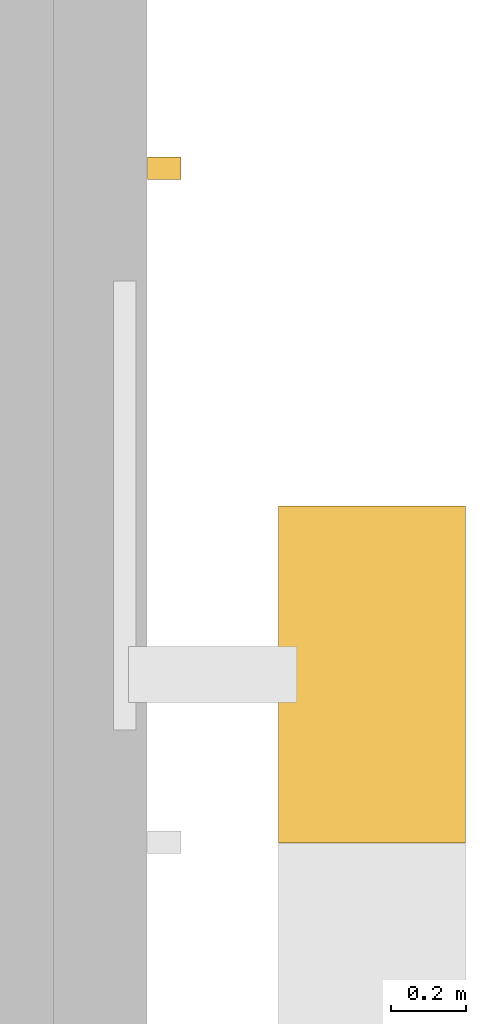
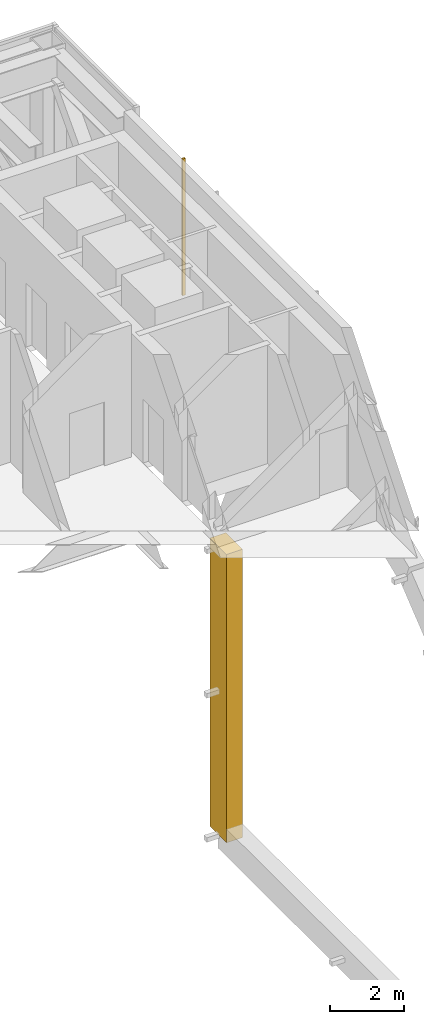
# One storey, part 24 of 26: 2 coverings.
"""IFC4 building model written with IfcOpenShell, lengths in metres."""

import ifcopenshell
import ifcopenshell.guid

model = None  # the IFC model being written
_history = None  # IfcOwnerHistory: only IFC2X3 demands one
_inside = {}  # id of a spatial element -> (the spatial element, [elements in it])
_under = {}  # id of a project, library or spatial element -> (it, [spatial elements below it])
_declared = {}  # id of a project -> (the project, [libraries it declares])
_typed = {}  # id of a type object -> (the type object, [elements of that type])
_made_of = {}  # id of a material, layer set ... -> (it, [elements and type objects made of it])


def new_model(schema):
    """Start an empty IFC model of exactly this schema.

    Asked for "IFC4X3", IfcOpenShell would pick the latest addendum, in which some entities
    have other attributes; the version numbers below select the first issue.
    IFC2X3 requires an IfcOwnerHistory on every rooted entity: one is made here for all.
    """
    global model, _history
    if schema == "IFC4X3":
        model = ifcopenshell.file(schema_version=(4, 3, 0, 0))
    else:
        model = ifcopenshell.file(schema=schema)
    _inside.clear()
    _under.clear()
    _declared.clear()
    _typed.clear()
    _made_of.clear()
    _history = None
    if model.schema == "IFC2X3":
        org = make("IfcOrganization", Name="unknown")
        user = make(
            "IfcPersonAndOrganization",
            ThePerson=make("IfcPerson", FamilyName="unknown"),
            TheOrganization=org,
        )
        app = make(
            "IfcApplication",
            ApplicationDeveloper=org,
            Version="unknown",
            ApplicationFullName="unknown",
            ApplicationIdentifier="unknown",
        )
        _history = make(
            "IfcOwnerHistory",
            OwningUser=user,
            OwningApplication=app,
            ChangeAction="ADDED",
            CreationDate=0,
        )
    return model


def make(cls, **values):
    """One entity of the class cls with the attributes given. An attribute that is None is left unset."""
    return model.create_entity(
        cls, **{name: value for name, value in values.items() if value is not None}
    )


def rooted(cls, **values):
    """An entity with a GlobalId (a new one), such as an element, a storey or a relation."""
    return make(cls, GlobalId=ifcopenshell.guid.new(), OwnerHistory=_history, **values)


def si_unit(unit_type, name, prefix=None):
    """IfcSIUnit, for example si_unit("LENGTHUNIT", "METRE", prefix="MILLI")."""
    return make("IfcSIUnit", UnitType=unit_type, Prefix=prefix, Name=name)


def assignment(units):
    """IfcUnitAssignment: the units of a project."""
    return None if units is None else make("IfcUnitAssignment", Units=units)


def point(xyz):
    """IfcCartesianPoint."""
    return None if xyz is None else make("IfcCartesianPoint", Coordinates=xyz)


def direction(xyz):
    """IfcDirection."""
    return None if xyz is None else make("IfcDirection", DirectionRatios=xyz)


def frame(location, z_axis=None, x_axis=None):
    """IfcAxis2Placement3D, a coordinate frame: its origin and axes. An axis left out is left unset."""
    return make(
        "IfcAxis2Placement3D",
        Location=point(location),
        Axis=direction(z_axis),
        RefDirection=direction(x_axis),
    )


def frame_2d(location, x_axis=None):
    """IfcAxis2Placement2D, a coordinate frame in the plane: its origin and x axis."""
    return make(
        "IfcAxis2Placement2D", Location=point(location), RefDirection=direction(x_axis)
    )


def origin():
    """The frame at (0, 0, 0) with its axes left unset."""
    return frame((0.0, 0.0, 0.0))


def origin_2d():
    """The frame at (0, 0) in the plane with its x axis left unset."""
    return frame_2d((0.0, 0.0))


def place(relative_to, where):
    """IfcLocalPlacement: puts the frame where relative to a parent placement (None: the world)."""
    return make(
        "IfcLocalPlacement", PlacementRelTo=relative_to, RelativePlacement=where
    )


def context(
    kind, dimensions, precision=None, world=None, true_north=None, identifier=None
):
    """IfcGeometricRepresentationContext, for example the 3D "Model" context."""
    return make(
        "IfcGeometricRepresentationContext",
        ContextIdentifier=identifier,
        ContextType=kind,
        CoordinateSpaceDimension=dimensions,
        Precision=precision,
        WorldCoordinateSystem=world,
        TrueNorth=true_north,
    )


def subcontext(parent, identifier, kind, view, scale=None):
    """IfcGeometricRepresentationSubContext, for example "Body" below "Model"."""
    return make(
        "IfcGeometricRepresentationSubContext",
        ContextIdentifier=identifier,
        ContextType=kind,
        ParentContext=parent,
        TargetScale=scale,
        TargetView=view,
    )


def project(units=None, contexts=None):
    """IfcProject with its units and contexts."""
    return rooted(
        "IfcProject",
        Name="project",
        RepresentationContexts=contexts,
        UnitsInContext=assignment(units),
    )


def spatial(cls, under=None, at=None, **own):
    """A site, building, storey or space (cls), placed at a placement, below another one or the project."""
    s = rooted(cls, ObjectPlacement=at, **own)
    if under is not None:
        _under.setdefault(under.id(), (under, []))[1].append(s)
    return s


def profile(cls, at=None, kind="AREA", **sizes):
    """A parametric profile (cls). Its sizes go by their IFC names, for example OverallWidth=200.0."""
    return make(cls, ProfileType=kind, Position=at, **sizes)


def rectangle(**sizes):
    """IfcRectangleProfileDef."""
    return profile("IfcRectangleProfileDef", **sizes)


def extrude(swept, where, along, depth):
    """IfcExtrudedAreaSolid: the profile swept, set in the frame where, extruded along a direction by depth."""
    return make(
        "IfcExtrudedAreaSolid",
        SweptArea=swept,
        Position=where,
        ExtrudedDirection=direction(along),
        Depth=depth,
    )


def shape(context_of_items, identifier, shape_type, items):
    """IfcShapeRepresentation: the items that make up one representation, for example the "Body"."""
    return make(
        "IfcShapeRepresentation",
        ContextOfItems=context_of_items,
        RepresentationIdentifier=identifier,
        RepresentationType=shape_type,
        Items=items,
    )


def material(Name=None, Category=None):
    """IfcMaterial."""
    return make("IfcMaterial", Name=Name, Category=Category)


def material_profile(
    of_material, cross_section, Name=None, Category=None, Priority=None
):
    """IfcMaterialProfile: a cross section and its material."""
    return make(
        "IfcMaterialProfile",
        Name=Name,
        Material=of_material,
        Profile=cross_section,
        Priority=Priority,
        Category=Category,
    )


def profile_set(profiles, Name=None, composite=None):
    """IfcMaterialProfileSet."""
    return make(
        "IfcMaterialProfileSet",
        Name=Name,
        MaterialProfiles=profiles,
        CompositeProfile=composite,
    )


def made_of(thing, what):
    """Note that an element or type object is made of a material, layer set ...; save() writes the relation."""
    if what is not None:
        _made_of.setdefault(what.id(), (what, []))[1].append(thing)
    return thing


def type_object(cls, material=None, **own):
    """A type object (cls), such as IfcWallType, which elements share."""
    return made_of(rooted(cls, **own), material)


def element(
    cls,
    number,
    at=None,
    inside=None,
    cuts=None,
    type_object=None,
    material=None,
    context=None,
    identifier="Body",
    shape_type=None,
    held_by="IfcProductDefinitionShape",
    body=None,
    shapes=None,
    **own,
):
    """One element of the class cls, such as IfcWall. Its Tag is "e" and its number.

    at: its placement. inside: the storey or other place that contains it. cuts: it is an
    opening in that element (IfcRelVoidsElement). A single representation is given by context,
    identifier, shape_type and body (its items); several are given by shapes. held_by: the class
    of the entity that holds the representations. save() writes the other relations.
    """
    e = rooted(cls, Tag="e%d" % number, ObjectPlacement=at, **own)
    if body is not None:
        shapes = [shape(context, identifier, shape_type, body)]
    if shapes is not None:
        e.Representation = make(held_by, Representations=shapes)
    if inside is not None:
        _inside.setdefault(inside.id(), (inside, []))[1].append(e)
    if cuts is not None:
        rooted(
            "IfcRelVoidsElement", RelatingBuildingElement=cuts, RelatedOpeningElement=e
        )
    if type_object is not None:
        _typed.setdefault(type_object.id(), (type_object, []))[1].append(e)
    return made_of(e, material)


def aggregate(whole, parts):
    """IfcRelAggregates: a whole, such as a stair, and the parts it consists of."""
    return rooted("IfcRelAggregates", RelatingObject=whole, RelatedObjects=parts)


def save(model, path):
    """Write the relations noted so far, then the file.

    IfcRelAggregates (storeys below a building ...), IfcRelContainedInSpatialStructure (elements
    in a storey), IfcRelDefinesByType, IfcRelAssociatesMaterial and IfcRelDeclares: one each for
    every whole, place, type object, material and project.
    """
    for whole, parts in _under.values():
        aggregate(whole, parts)
    for where, things in _inside.values():
        rooted(
            "IfcRelContainedInSpatialStructure",
            RelatedElements=things,
            RelatingStructure=where,
        )
    for kind, things in _typed.values():
        rooted("IfcRelDefinesByType", RelatedObjects=things, RelatingType=kind)
    for what, things in _made_of.values():
        rooted("IfcRelAssociatesMaterial", RelatedObjects=things, RelatingMaterial=what)
    for by, libraries in _declared.values():
        rooted("IfcRelDeclares", RelatingContext=by, RelatedDefinitions=libraries)
    model.write(path)


model = new_model("IFC4")

# Units and contexts
model_context = context("Model", 3, precision=1e-05, world=origin(), true_north=direction((0.0, 1.0)))
body_context = subcontext(model_context, "Body", "Model", "MODEL_VIEW")
ifc_project = project(units=[si_unit("LENGTHUNIT", "METRE"), si_unit("AREAUNIT", "SQUARE_METRE"), si_unit("VOLUMEUNIT", "CUBIC_METRE"), si_unit("PLANEANGLEUNIT", "RADIAN"), si_unit("MASSUNIT", "GRAM", prefix="KILO")], contexts=[model_context])

# Site, building, storey
site_placement = place(None, origin())
site = spatial("IfcSite", under=ifc_project, at=site_placement, CompositionType="ELEMENT")
building_placement = place(site_placement, origin())
building = spatial("IfcBuilding", under=site, at=building_placement, Name="Cobrizo Arcos Hotel Tower", CompositionType="ELEMENT")
storey_placement = place(building_placement, frame((0.0, 0.0, 236.5)))
storey = spatial("IfcBuildingStorey", under=building, at=storey_placement, Name="L62", CompositionType="ELEMENT", Elevation=236.5)

# Coverings
ifc_material = material(Name="Aluminium 6063-T6 anodised pale", Category="aluminium")
ifc_material_profile = material_profile(ifc_material, rectangle(XDim=0.5, YDim=0.89990234375, at=origin_2d()), Name="AF-2 core arch rim 500x900")
ifc_profile_set = profile_set([ifc_material_profile], Name="Aluminium 6063-T6 anodised pale")
covering_type_1 = type_object("IfcCoveringType", Name="AF-2 core arch rim 500x900", PredefinedType="CLADDING", material=ifc_profile_set)
covering_1_placement = place(storey_placement, frame((21.25, 6.748291015625, -17.050048828125), z_axis=(0.0, 0.0, 1.0), x_axis=(1.0, 0.0, 0.0)))
element("IfcCovering", 1, at=covering_1_placement, inside=storey, type_object=covering_type_1, Name="Arch rim C E face", PredefinedType="CLADDING", context=body_context, shape_type="SweptSolid", body=[
    extrude(rectangle(XDim=0.5, YDim=0.89990234375, at=origin_2d()), origin(), (0.0, 0.0, 1.0), 9.488525390625),
])
covering_type_2 = type_object("IfcCoveringType", Name="RS-1 rainscreen rib 60x90", PredefinedType="CLADDING", material=ifc_material)
covering_2_placement = place(storey_placement, frame((20.695068359375, 8.10009765625, 0.0), z_axis=(0.0, 0.0, 1.0), x_axis=(0.0, 1.0, 0.0)))
element("IfcCovering", 2, at=covering_2_placement, inside=storey, type_object=covering_type_2, Name="Rainscreen rib 86", PredefinedType="CLADDING", context=body_context, shape_type="SweptSolid", body=[
    extrude(rectangle(XDim=0.06005859375, YDim=0.090087890625, at=origin_2d()), origin(), (0.0, 0.0, 1.0), 4.5),
])

save(model, "model.ifc")
